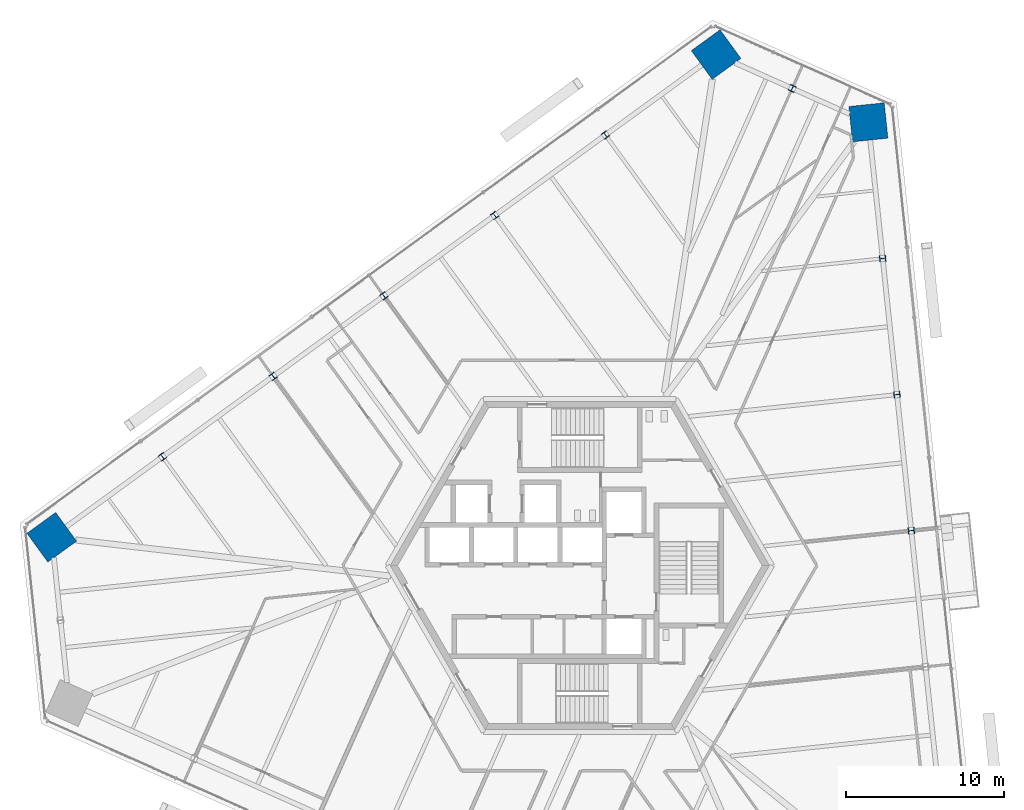
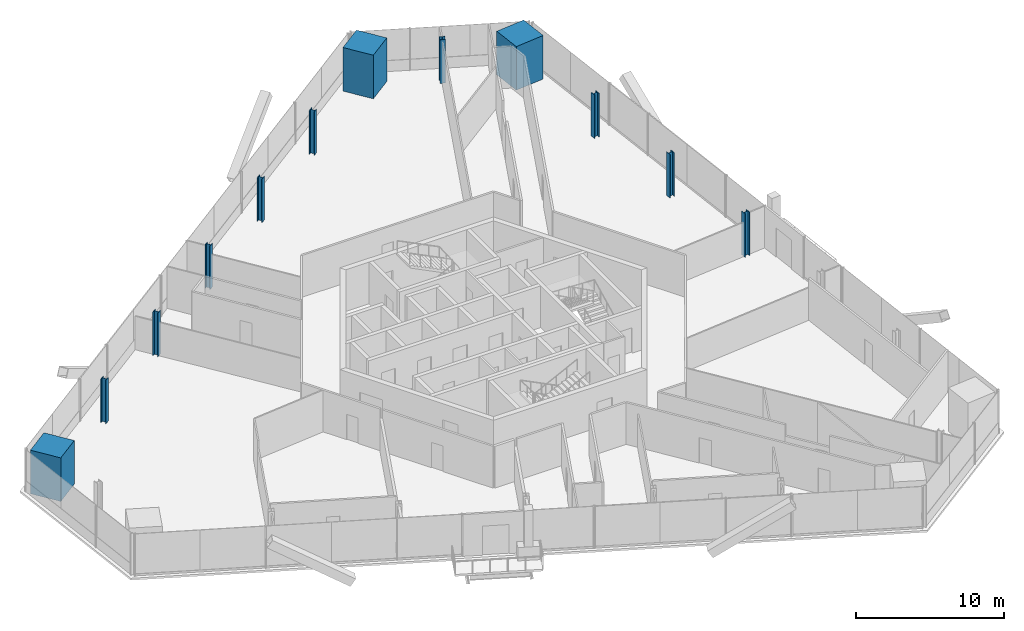
# One storey, part 2 of 18: 12 columns.
"""IFC4 building model written with IfcOpenShell, lengths in metres."""

import ifcopenshell
import ifcopenshell.guid

model = None  # the IFC model being written
_history = None  # IfcOwnerHistory: only IFC2X3 demands one
_inside = {}  # id of a spatial element -> (the spatial element, [elements in it])
_under = {}  # id of a project, library or spatial element -> (it, [spatial elements below it])
_declared = {}  # id of a project -> (the project, [libraries it declares])
_typed = {}  # id of a type object -> (the type object, [elements of that type])
_made_of = {}  # id of a material, layer set ... -> (it, [elements and type objects made of it])


def new_model(schema):
    """Start an empty IFC model of exactly this schema.

    Asked for "IFC4X3", IfcOpenShell would pick the latest addendum, in which some entities
    have other attributes; the version numbers below select the first issue.
    IFC2X3 requires an IfcOwnerHistory on every rooted entity: one is made here for all.
    """
    global model, _history
    if schema == "IFC4X3":
        model = ifcopenshell.file(schema_version=(4, 3, 0, 0))
    else:
        model = ifcopenshell.file(schema=schema)
    _inside.clear()
    _under.clear()
    _declared.clear()
    _typed.clear()
    _made_of.clear()
    _history = None
    if model.schema == "IFC2X3":
        org = make("IfcOrganization", Name="unknown")
        user = make(
            "IfcPersonAndOrganization",
            ThePerson=make("IfcPerson", FamilyName="unknown"),
            TheOrganization=org,
        )
        app = make(
            "IfcApplication",
            ApplicationDeveloper=org,
            Version="unknown",
            ApplicationFullName="unknown",
            ApplicationIdentifier="unknown",
        )
        _history = make(
            "IfcOwnerHistory",
            OwningUser=user,
            OwningApplication=app,
            ChangeAction="ADDED",
            CreationDate=0,
        )
    return model


def make(cls, **values):
    """One entity of the class cls with the attributes given. An attribute that is None is left unset."""
    return model.create_entity(
        cls, **{name: value for name, value in values.items() if value is not None}
    )


def rooted(cls, **values):
    """An entity with a GlobalId (a new one), such as an element, a storey or a relation."""
    return make(cls, GlobalId=ifcopenshell.guid.new(), OwnerHistory=_history, **values)


def si_unit(unit_type, name, prefix=None):
    """IfcSIUnit, for example si_unit("LENGTHUNIT", "METRE", prefix="MILLI")."""
    return make("IfcSIUnit", UnitType=unit_type, Prefix=prefix, Name=name)


def assignment(units):
    """IfcUnitAssignment: the units of a project."""
    return None if units is None else make("IfcUnitAssignment", Units=units)


def point(xyz):
    """IfcCartesianPoint."""
    return None if xyz is None else make("IfcCartesianPoint", Coordinates=xyz)


def direction(xyz):
    """IfcDirection."""
    return None if xyz is None else make("IfcDirection", DirectionRatios=xyz)


def frame(location, z_axis=None, x_axis=None):
    """IfcAxis2Placement3D, a coordinate frame: its origin and axes. An axis left out is left unset."""
    return make(
        "IfcAxis2Placement3D",
        Location=point(location),
        Axis=direction(z_axis),
        RefDirection=direction(x_axis),
    )


def frame_2d(location, x_axis=None):
    """IfcAxis2Placement2D, a coordinate frame in the plane: its origin and x axis."""
    return make(
        "IfcAxis2Placement2D", Location=point(location), RefDirection=direction(x_axis)
    )


def origin():
    """The frame at (0, 0, 0) with its axes left unset."""
    return frame((0.0, 0.0, 0.0))


def origin_2d():
    """The frame at (0, 0) in the plane with its x axis left unset."""
    return frame_2d((0.0, 0.0))


def place(relative_to, where):
    """IfcLocalPlacement: puts the frame where relative to a parent placement (None: the world)."""
    return make(
        "IfcLocalPlacement", PlacementRelTo=relative_to, RelativePlacement=where
    )


def context(
    kind, dimensions, precision=None, world=None, true_north=None, identifier=None
):
    """IfcGeometricRepresentationContext, for example the 3D "Model" context."""
    return make(
        "IfcGeometricRepresentationContext",
        ContextIdentifier=identifier,
        ContextType=kind,
        CoordinateSpaceDimension=dimensions,
        Precision=precision,
        WorldCoordinateSystem=world,
        TrueNorth=true_north,
    )


def subcontext(parent, identifier, kind, view, scale=None):
    """IfcGeometricRepresentationSubContext, for example "Body" below "Model"."""
    return make(
        "IfcGeometricRepresentationSubContext",
        ContextIdentifier=identifier,
        ContextType=kind,
        ParentContext=parent,
        TargetScale=scale,
        TargetView=view,
    )


def project(units=None, contexts=None):
    """IfcProject with its units and contexts."""
    return rooted(
        "IfcProject",
        Name="project",
        RepresentationContexts=contexts,
        UnitsInContext=assignment(units),
    )


def spatial(cls, under=None, at=None, **own):
    """A site, building, storey or space (cls), placed at a placement, below another one or the project."""
    s = rooted(cls, ObjectPlacement=at, **own)
    if under is not None:
        _under.setdefault(under.id(), (under, []))[1].append(s)
    return s


def profile(cls, at=None, kind="AREA", **sizes):
    """A parametric profile (cls). Its sizes go by their IFC names, for example OverallWidth=200.0."""
    return make(cls, ProfileType=kind, Position=at, **sizes)


def rectangle(**sizes):
    """IfcRectangleProfileDef."""
    return profile("IfcRectangleProfileDef", **sizes)


def i_section(**sizes):
    """IfcIShapeProfileDef."""
    return profile("IfcIShapeProfileDef", **sizes)


def extrude(swept, where, along, depth):
    """IfcExtrudedAreaSolid: the profile swept, set in the frame where, extruded along a direction by depth."""
    return make(
        "IfcExtrudedAreaSolid",
        SweptArea=swept,
        Position=where,
        ExtrudedDirection=direction(along),
        Depth=depth,
    )


def shape(context_of_items, identifier, shape_type, items):
    """IfcShapeRepresentation: the items that make up one representation, for example the "Body"."""
    return make(
        "IfcShapeRepresentation",
        ContextOfItems=context_of_items,
        RepresentationIdentifier=identifier,
        RepresentationType=shape_type,
        Items=items,
    )


def source(mapping_origin, context_of_items, identifier, shape_type, items):
    """IfcRepresentationMap: a shape defined once, which mapped items show again and again."""
    return make(
        "IfcRepresentationMap",
        MappingOrigin=mapping_origin,
        MappedRepresentation=shape(context_of_items, identifier, shape_type, items),
    )


def transform(
    local_origin,
    x_axis=None,
    y_axis=None,
    z_axis=None,
    scale=None,
    scale2=None,
    scale3=None,
    uniform=True,
):
    """IfcCartesianTransformationOperator3D, or its non-uniform kind. x_axis, y_axis, z_axis: its Axis1, 2, 3."""
    if uniform:
        return make(
            "IfcCartesianTransformationOperator3D",
            Axis1=direction(x_axis),
            Axis2=direction(y_axis),
            LocalOrigin=point(local_origin),
            Scale=scale,
            Axis3=direction(z_axis),
        )
    return make(
        "IfcCartesianTransformationOperator3DnonUniform",
        Axis1=direction(x_axis),
        Axis2=direction(y_axis),
        LocalOrigin=point(local_origin),
        Scale=scale,
        Axis3=direction(z_axis),
        Scale2=scale2,
        Scale3=scale3,
    )


def mapped(mapping_source, mapping_target):
    """IfcMappedItem: shows the shape of a source again, moved by a transform."""
    return make(
        "IfcMappedItem", MappingSource=mapping_source, MappingTarget=mapping_target
    )


def material(Name=None, Category=None):
    """IfcMaterial."""
    return make("IfcMaterial", Name=Name, Category=Category)


def material_profile(
    of_material, cross_section, Name=None, Category=None, Priority=None
):
    """IfcMaterialProfile: a cross section and its material."""
    return make(
        "IfcMaterialProfile",
        Name=Name,
        Material=of_material,
        Profile=cross_section,
        Priority=Priority,
        Category=Category,
    )


def profile_set(profiles, Name=None, composite=None):
    """IfcMaterialProfileSet."""
    return make(
        "IfcMaterialProfileSet",
        Name=Name,
        MaterialProfiles=profiles,
        CompositeProfile=composite,
    )


def made_of(thing, what):
    """Note that an element or type object is made of a material, layer set ...; save() writes the relation."""
    if what is not None:
        _made_of.setdefault(what.id(), (what, []))[1].append(thing)
    return thing


def type_object(cls, material=None, **own):
    """A type object (cls), such as IfcWallType, which elements share."""
    return made_of(rooted(cls, **own), material)


def element(
    cls,
    number,
    at=None,
    inside=None,
    cuts=None,
    type_object=None,
    material=None,
    context=None,
    identifier="Body",
    shape_type=None,
    held_by="IfcProductDefinitionShape",
    body=None,
    shapes=None,
    **own,
):
    """One element of the class cls, such as IfcWall. Its Tag is "e" and its number.

    at: its placement. inside: the storey or other place that contains it. cuts: it is an
    opening in that element (IfcRelVoidsElement). A single representation is given by context,
    identifier, shape_type and body (its items); several are given by shapes. held_by: the class
    of the entity that holds the representations. save() writes the other relations.
    """
    e = rooted(cls, Tag="e%d" % number, ObjectPlacement=at, **own)
    if body is not None:
        shapes = [shape(context, identifier, shape_type, body)]
    if shapes is not None:
        e.Representation = make(held_by, Representations=shapes)
    if inside is not None:
        _inside.setdefault(inside.id(), (inside, []))[1].append(e)
    if cuts is not None:
        rooted(
            "IfcRelVoidsElement", RelatingBuildingElement=cuts, RelatedOpeningElement=e
        )
    if type_object is not None:
        _typed.setdefault(type_object.id(), (type_object, []))[1].append(e)
    return made_of(e, material)


def aggregate(whole, parts):
    """IfcRelAggregates: a whole, such as a stair, and the parts it consists of."""
    return rooted("IfcRelAggregates", RelatingObject=whole, RelatedObjects=parts)


def save(model, path):
    """Write the relations noted so far, then the file.

    IfcRelAggregates (storeys below a building ...), IfcRelContainedInSpatialStructure (elements
    in a storey), IfcRelDefinesByType, IfcRelAssociatesMaterial and IfcRelDeclares: one each for
    every whole, place, type object, material and project.
    """
    for whole, parts in _under.values():
        aggregate(whole, parts)
    for where, things in _inside.values():
        rooted(
            "IfcRelContainedInSpatialStructure",
            RelatedElements=things,
            RelatingStructure=where,
        )
    for kind, things in _typed.values():
        rooted("IfcRelDefinesByType", RelatedObjects=things, RelatingType=kind)
    for what, things in _made_of.values():
        rooted("IfcRelAssociatesMaterial", RelatedObjects=things, RelatingMaterial=what)
    for by, libraries in _declared.values():
        rooted("IfcRelDeclares", RelatingContext=by, RelatedDefinitions=libraries)
    model.write(path)


model = new_model("IFC4")

# Units and contexts
model_context = context("Model", 3, precision=1e-05, world=origin(), true_north=direction((0.0, 1.0)))
body_context = subcontext(model_context, "Body", "Model", "MODEL_VIEW")
ifc_project = project(units=[si_unit("LENGTHUNIT", "METRE"), si_unit("AREAUNIT", "SQUARE_METRE"), si_unit("VOLUMEUNIT", "CUBIC_METRE"), si_unit("PLANEANGLEUNIT", "RADIAN"), si_unit("MASSUNIT", "GRAM", prefix="KILO")], contexts=[model_context])

# Site, building, storey
site_placement = place(None, origin())
site = spatial("IfcSite", under=ifc_project, at=site_placement, CompositionType="ELEMENT")
building_placement = place(site_placement, origin())
building = spatial("IfcBuilding", under=site, at=building_placement, Name="Triune Harvest Tower", CompositionType="ELEMENT")
storey_placement = place(building_placement, frame((0.0, 0.0, 83.699951171875)))
storey = spatial("IfcBuildingStorey", under=building, at=storey_placement, Name="L20", CompositionType="ELEMENT", Elevation=83.699951171875)

# Columns
ifc_material_1 = material(Name="Concrete 70 MPa", Category="concrete")
ifc_material_profile_1 = material_profile(ifc_material_1, rectangle(XDim=2.25, YDim=2.25, at=origin_2d()), Name="Composite 2250x2250")
ifc_profile_set_1 = profile_set([ifc_material_profile_1], Name="Concrete 70 MPa")
column_type_1 = type_object("IfcColumnType", Name="MC-2 Mega column Composite 2250x2250", PredefinedType="COLUMN", material=ifc_profile_set_1)
shared_shape_1 = source(origin(), body_context, "Body", "SweptSolid", [
    extrude(rectangle(XDim=2.25, YDim=2.25, at=origin_2d()), origin(), (0.0, 0.0, 1.0), 3.60009765625),
])
for number, where, z_axis, x_axis, name in (
    (1, (18.2607421875, 28.049072265625, 0.0), (0.0, 0.0, 1.0), (-0.104526727499, 0.994522077803, 0.0), "col/L20/M6"),
    (2, (8.625732421875, 32.3388671875, 0.0), (0.0, 0.0, 1.0), (-0.809016994375, -0.587785252292, 0.0), "col/L20/M8"),
    (3, (-33.42138671875, 1.789794921875, 0.0), (0.0, 0.0, 1.0), (-0.809016994375, -0.587785252292, 0.0), "col/L20/M14"),
):
    element("IfcColumn", number, at=place(storey_placement, frame(where, z_axis=z_axis, x_axis=x_axis)), inside=storey, type_object=column_type_1, Name=name, PredefinedType="COLUMN", context=body_context, shape_type="MappedRepresentation", body=[
        mapped(shared_shape_1, transform((0.0, 0.0, 0.0), scale=1.0)),
    ])
ifc_material_2 = material(Name="Steel ASTM A992 Gr 50", Category="steel")
ifc_material_profile_2 = material_profile(ifc_material_2, i_section(OverallWidth=0.398681640625, OverallDepth=0.393798828125, WebThickness=0.022705078125, FlangeThickness=0.03662109375, at=origin_2d()), Name="W14x193")
ifc_profile_set_2 = profile_set([ifc_material_profile_2], Name="Steel ASTM A992 Gr 50")
column_type_2 = type_object("IfcColumnType", Name="PC-2 Perimeter column W14x193", PredefinedType="COLUMN", material=ifc_profile_set_2)
shared_shape_2 = source(origin(), body_context, "Body", "SweptSolid", [
    extrude(i_section(OverallWidth=0.398681640625, OverallDepth=0.393798828125, WebThickness=0.022705078125, FlangeThickness=0.03662109375, at=origin_2d()), origin(), (0.0, 0.0, 1.0), 3.60009765625),
])
for number, where, z_axis, x_axis, name in (
    (4, (20.97705078125, 2.204833984375, 0.0), (0.0, 0.0, 1.0), (-0.104526727499, 0.994522077803, 0.0), "col/L20/P3"),
    (5, (20.071533203125, 10.819580078125, 0.0), (0.0, 0.0, 1.0), (-0.104526727499, 0.994522077803, 0.0), "col/L20/P4"),
    (6, (19.166015625, 19.434326171875, 0.0), (0.0, 0.0, 1.0), (-0.104526727499, 0.994522077803, 0.0), "col/L20/P5"),
    (7, (13.443115234375, 30.194091796875, 0.0), (0.0, 0.0, 1.0), (-0.913546877416, 0.406733454198, 0.0), "col/L20/P7"),
    (8, (1.617919921875, 27.247314453125, 0.0), (0.0, 0.0, 1.0), (-0.809016994375, -0.587785252292, 0.0), "col/L20/P9"),
    (9, (-5.389892578125, 22.15576171875, 0.0), (0.0, 0.0, 1.0), (-0.809016994375, -0.587785252292, 0.0), "col/L20/P10"),
    (10, (-12.39794921875, 17.064208984375, 0.0), (0.0, 0.0, 1.0), (-0.809016994375, -0.587785252292, 0.0), "col/L20/P11"),
    (11, (-19.40576171875, 11.97265625, 0.0), (0.0, 0.0, 1.0), (-0.809016994375, -0.587785252292, 0.0), "col/L20/P12"),
    (12, (-26.41357421875, 6.881103515625, 0.0), (0.0, 0.0, 1.0), (-0.809016994375, -0.587785252292, 0.0), "col/L20/P13"),
):
    element("IfcColumn", number, at=place(storey_placement, frame(where, z_axis=z_axis, x_axis=x_axis)), inside=storey, type_object=column_type_2, Name=name, PredefinedType="COLUMN", context=body_context, shape_type="MappedRepresentation", body=[
        mapped(shared_shape_2, transform((0.0, 0.0, 0.0), scale=1.0)),
    ])

save(model, "model.ifc")
